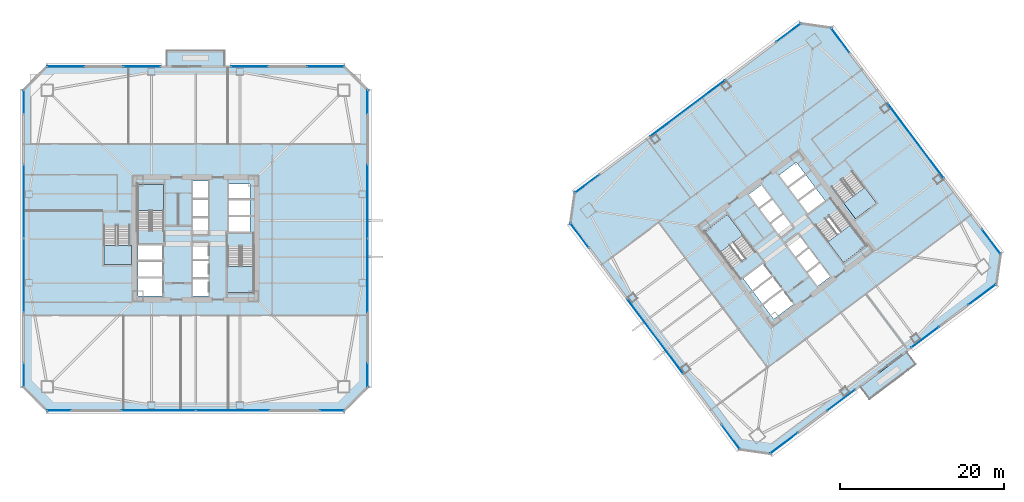
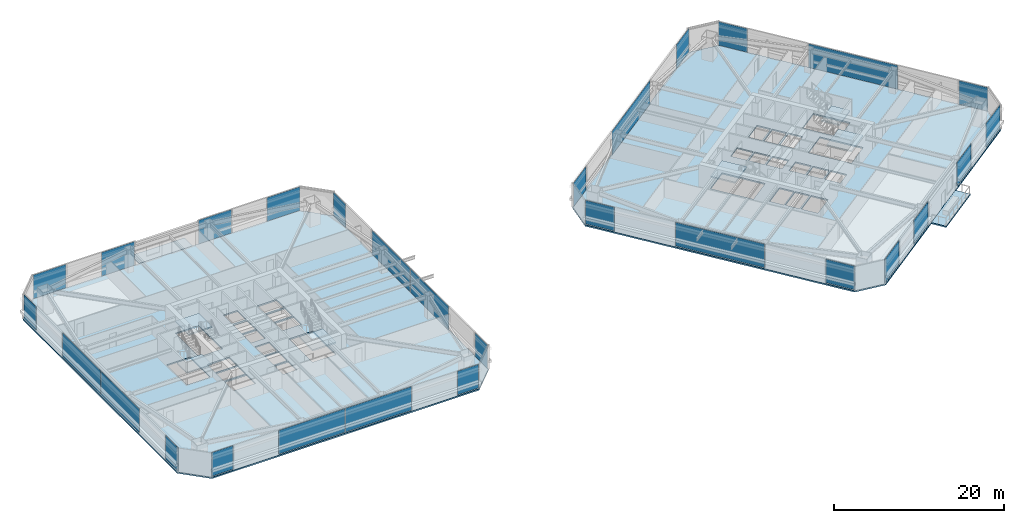
# One storey, part 35 of 47: 29 plates, 10 slabs, 32 elements without a shape of their own.
"""IFC4 building model written with IfcOpenShell, lengths in metres."""

from ifc_helpers import new_model, si_unit, direction, frame, origin, origin_2d, place, context, subcontext, project, spatial, polyline, rectangle, outline, extrude, material, layer, layer_set, type_object, element, aggregate, save


model = new_model("IFC4")

# Units and contexts
model_context = context("Model", 3, precision=1e-05, world=origin(), true_north=direction((0.0, 1.0)))
body_context = subcontext(model_context, "Body", "Model", "MODEL_VIEW")
ifc_project = project(units=[si_unit("LENGTHUNIT", "METRE"), si_unit("AREAUNIT", "SQUARE_METRE"), si_unit("VOLUMEUNIT", "CUBIC_METRE"), si_unit("PLANEANGLEUNIT", "RADIAN"), si_unit("MASSUNIT", "GRAM", prefix="KILO")], contexts=[model_context])

# Site, building, storey
site_placement = place(None, origin())
site = spatial("IfcSite", under=ifc_project, at=site_placement, CompositionType="ELEMENT")
building_placement = place(site_placement, origin())
building = spatial("IfcBuilding", under=site, at=building_placement, Name="Tashvorn Skyway Center", CompositionType="ELEMENT")
storey_placement = place(building_placement, frame((0.0, 0.0, 81.39990234375)))
storey = spatial("IfcBuildingStorey", under=building, at=storey_placement, Name="L21", CompositionType="ELEMENT", Elevation=81.39990234375)

# Curtain wall, plate
ifc_material_1 = material(Name="Thermally broken bronze-anodized aluminium 6063-T6", Category="aluminium")
curtain_wall_type = type_object("IfcCurtainWallType", Name="CW-CW-Z2", PredefinedType="NOTDEFINED", material=ifc_material_1)
curtain_wall_1_placement = place(storey_placement, origin())
curtain_wall_1 = element("IfcCurtainWall", 1, at=curtain_wall_1_placement, inside=storey, type_object=curtain_wall_type, Name="Tower 1 L21 South Unitised Curtain Wall Glazing Group 1", PredefinedType="NOTDEFINED")
ifc_material_2 = material(Name="Low-E solar-control double insulating safety glass", Category="glass")
ifc_layer_1 = layer(ifc_material_2, 0.0439453125)
ifc_layer_set_1 = layer_set([ifc_layer_1], Name="Low-E solar-control double insulating safety glass")
plate_type = type_object("IfcPlateType", Name="CWP-CW-Z2", PredefinedType="CURTAIN_PANEL", material=ifc_layer_set_1)
plate_1_placement = place(storey_placement, frame((58.6650390625, 11.02001953125, 0.080078125), z_axis=(0.0, 0.0, 1.0), x_axis=(-1.0, 0.0, 0.0)))
plate_1 = element("IfcPlate", 2, at=plate_1_placement, type_object=plate_type, Name="CW-Z2 panel 1.1", PredefinedType="CURTAIN_PANEL", context=body_context, shape_type="SweptSolid", body=[
    extrude(rectangle(XDim=2.8701171875, YDim=0.0439453125, at=origin_2d()), origin(), (0.0, 0.0, 1.0), 3.389892578125),
])
aggregate(curtain_wall_1, [plate_1])

# Curtain wall, plates
curtain_wall_2_placement = place(storey_placement, origin())
curtain_wall_2 = element("IfcCurtainWall", 3, at=curtain_wall_2_placement, inside=storey, type_object=curtain_wall_type, Name="Tower 1 L21 South Unitised Curtain Wall Glazing Group 2", PredefinedType="NOTDEFINED")
plate_2_placement = place(storey_placement, frame((46.52490234375, 11.02001953125, 0.080078125), z_axis=(0.0, 0.0, 1.0), x_axis=(-1.0, 0.0, 0.0)))
plate_2 = element("IfcPlate", 4, at=plate_2_placement, type_object=plate_type, Name="CW-Z2 panel 1.1", PredefinedType="CURTAIN_PANEL", context=body_context, shape_type="SweptSolid", body=[
    extrude(rectangle(XDim=8.969970703125, YDim=0.0439453125, at=origin_2d()), origin(), (0.0, 0.0, 1.0), 3.389892578125),
])
plate_3_placement = place(storey_placement, frame((37.47509765625, 11.02001953125, 0.080078125), z_axis=(0.0, 0.0, 1.0), x_axis=(-1.0, 0.0, 0.0)))
plate_3 = element("IfcPlate", 5, at=plate_3_placement, type_object=plate_type, Name="CW-Z2 panel 2.1", PredefinedType="CURTAIN_PANEL", context=body_context, shape_type="SweptSolid", body=[
    extrude(rectangle(XDim=8.969970703125, YDim=0.0439453125, at=origin_2d()), origin(), (0.0, 0.0, 1.0), 3.389892578125),
])
aggregate(curtain_wall_2, [plate_2, plate_3])

# Curtain wall, plate
curtain_wall_3_placement = place(storey_placement, origin())
curtain_wall_3 = element("IfcCurtainWall", 6, at=curtain_wall_3_placement, inside=storey, type_object=curtain_wall_type, Name="Tower 1 L21 South Unitised Curtain Wall Glazing Group 3", PredefinedType="NOTDEFINED")
plate_4_placement = place(storey_placement, frame((25.3349609375, 11.02001953125, 0.080078125), z_axis=(0.0, 0.0, 1.0), x_axis=(-1.0, 0.0, 0.0)))
plate_4 = element("IfcPlate", 7, at=plate_4_placement, type_object=plate_type, Name="CW-Z2 panel 1.1", PredefinedType="CURTAIN_PANEL", context=body_context, shape_type="SweptSolid", body=[
    extrude(rectangle(XDim=2.8701171875, YDim=0.0439453125, at=origin_2d()), origin(), (0.0, 0.0, 1.0), 3.389892578125),
])
aggregate(curtain_wall_3, [plate_4])

curtain_wall_4_placement = place(storey_placement, origin())
curtain_wall_4 = element("IfcCurtainWall", 8, at=curtain_wall_4_placement, inside=storey, type_object=curtain_wall_type, Name="Tower 1 L21 West Unitised Curtain Wall Glazing Group 1", PredefinedType="NOTDEFINED")
plate_5_placement = place(storey_placement, frame((21.02001953125, 15.3349609375, 0.080078125), z_axis=(0.0, 0.0, 1.0), x_axis=(0.0, 1.0, 0.0)))
plate_5 = element("IfcPlate", 9, at=plate_5_placement, type_object=plate_type, Name="CW-Z2 panel 1.1", PredefinedType="CURTAIN_PANEL", context=body_context, shape_type="SweptSolid", body=[
    extrude(rectangle(XDim=2.8701171875, YDim=0.0439453125, at=origin_2d()), origin(), (0.0, 0.0, 1.0), 3.389892578125),
])
aggregate(curtain_wall_4, [plate_5])

# Curtain wall, plates
curtain_wall_5_placement = place(storey_placement, origin())
curtain_wall_5 = element("IfcCurtainWall", 10, at=curtain_wall_5_placement, inside=storey, type_object=curtain_wall_type, Name="Tower 1 L21 West Unitised Curtain Wall Glazing Group 2", PredefinedType="NOTDEFINED")
plate_6_placement = place(storey_placement, frame((21.02001953125, 27.47509765625, 0.080078125), z_axis=(0.0, 0.0, 1.0), x_axis=(0.0, 1.0, 0.0)))
plate_6 = element("IfcPlate", 11, at=plate_6_placement, type_object=plate_type, Name="CW-Z2 panel 1.1", PredefinedType="CURTAIN_PANEL", context=body_context, shape_type="SweptSolid", body=[
    extrude(rectangle(XDim=8.969970703125, YDim=0.0439453125, at=origin_2d()), origin(), (0.0, 0.0, 1.0), 3.389892578125),
])
plate_7_placement = place(storey_placement, frame((21.02001953125, 36.52490234375, 0.080078125), z_axis=(0.0, 0.0, 1.0), x_axis=(0.0, 1.0, 0.0)))
plate_7 = element("IfcPlate", 12, at=plate_7_placement, type_object=plate_type, Name="CW-Z2 panel 2.1", PredefinedType="CURTAIN_PANEL", context=body_context, shape_type="SweptSolid", body=[
    extrude(rectangle(XDim=8.969970703125, YDim=0.0439453125, at=origin_2d()), origin(), (0.0, 0.0, 1.0), 3.389892578125),
])
aggregate(curtain_wall_5, [plate_6, plate_7])

# Curtain wall, plate
curtain_wall_6_placement = place(storey_placement, origin())
curtain_wall_6 = element("IfcCurtainWall", 13, at=curtain_wall_6_placement, inside=storey, type_object=curtain_wall_type, Name="Tower 1 L21 West Unitised Curtain Wall Glazing Group 3", PredefinedType="NOTDEFINED")
plate_8_placement = place(storey_placement, frame((21.02001953125, 48.6650390625, 0.080078125), z_axis=(0.0, 0.0, 1.0), x_axis=(0.0, 1.0, 0.0)))
plate_8 = element("IfcPlate", 14, at=plate_8_placement, type_object=plate_type, Name="CW-Z2 panel 1.1", PredefinedType="CURTAIN_PANEL", context=body_context, shape_type="SweptSolid", body=[
    extrude(rectangle(XDim=2.8701171875, YDim=0.0439453125, at=origin_2d()), origin(), (0.0, 0.0, 1.0), 3.389892578125),
])
aggregate(curtain_wall_6, [plate_8])

curtain_wall_7_placement = place(storey_placement, origin())
curtain_wall_7 = element("IfcCurtainWall", 15, at=curtain_wall_7_placement, inside=storey, type_object=curtain_wall_type, Name="Tower 1 L21 North Curtain Wall L Glazing Group 1", PredefinedType="NOTDEFINED")
plate_9_placement = place(storey_placement, frame((26.1416015625, 52.97998046875, 0.080078125), z_axis=(0.0, 0.0, 1.0), x_axis=(1.0, 0.0, 0.0)))
plate_9 = element("IfcPlate", 16, at=plate_9_placement, type_object=plate_type, Name="CW-Z2 panel 1.1", PredefinedType="CURTAIN_PANEL", context=body_context, shape_type="SweptSolid", body=[
    extrude(rectangle(XDim=4.4833984375, YDim=0.0439453125, at=origin_2d()), origin(), (0.0, 0.0, 1.0), 3.389892578125),
])
aggregate(curtain_wall_7, [plate_9])

curtain_wall_8_placement = place(storey_placement, origin())
curtain_wall_8 = element("IfcCurtainWall", 17, at=curtain_wall_8_placement, inside=storey, type_object=curtain_wall_type, Name="Tower 1 L21 North Curtain Wall L Glazing Group 2", PredefinedType="NOTDEFINED")
plate_10_placement = place(storey_placement, frame((35.428466796875, 52.97998046875, 0.080078125), z_axis=(0.0, 0.0, 1.0), x_axis=(1.0, 0.0, 0.0)))
plate_10 = element("IfcPlate", 18, at=plate_10_placement, type_object=plate_type, Name="CW-Z2 panel 1.1", PredefinedType="CURTAIN_PANEL", context=body_context, shape_type="SweptSolid", body=[
    extrude(rectangle(XDim=4.4833984375, YDim=0.0439453125, at=origin_2d()), origin(), (0.0, 0.0, 1.0), 3.389892578125),
])
aggregate(curtain_wall_8, [plate_10])

curtain_wall_9_placement = place(storey_placement, origin())
curtain_wall_9 = element("IfcCurtainWall", 19, at=curtain_wall_9_placement, inside=storey, type_object=curtain_wall_type, Name="Tower 1 L21 North Curtain Wall R Glazing Group 1", PredefinedType="NOTDEFINED")
plate_11_placement = place(storey_placement, frame((48.571533203125, 52.97998046875, 0.080078125), z_axis=(0.0, 0.0, 1.0), x_axis=(1.0, 0.0, 0.0)))
plate_11 = element("IfcPlate", 20, at=plate_11_placement, type_object=plate_type, Name="CW-Z2 panel 1.1", PredefinedType="CURTAIN_PANEL", context=body_context, shape_type="SweptSolid", body=[
    extrude(rectangle(XDim=4.4833984375, YDim=0.0439453125, at=origin_2d()), origin(), (0.0, 0.0, 1.0), 3.389892578125),
])
aggregate(curtain_wall_9, [plate_11])

curtain_wall_10_placement = place(storey_placement, origin())
curtain_wall_10 = element("IfcCurtainWall", 21, at=curtain_wall_10_placement, inside=storey, type_object=curtain_wall_type, Name="Tower 1 L21 North Curtain Wall R Glazing Group 2", PredefinedType="NOTDEFINED")
plate_12_placement = place(storey_placement, frame((57.8583984375, 52.97998046875, 0.080078125), z_axis=(0.0, 0.0, 1.0), x_axis=(1.0, 0.0, 0.0)))
plate_12 = element("IfcPlate", 22, at=plate_12_placement, type_object=plate_type, Name="CW-Z2 panel 1.1", PredefinedType="CURTAIN_PANEL", context=body_context, shape_type="SweptSolid", body=[
    extrude(rectangle(XDim=4.4833984375, YDim=0.0439453125, at=origin_2d()), origin(), (0.0, 0.0, 1.0), 3.389892578125),
])
aggregate(curtain_wall_10, [plate_12])

curtain_wall_11_placement = place(storey_placement, origin())
curtain_wall_11 = element("IfcCurtainWall", 23, at=curtain_wall_11_placement, inside=storey, type_object=curtain_wall_type, Name="Tower 1 L21 East Unitised Curtain Wall Glazing Group 1", PredefinedType="NOTDEFINED")
plate_13_placement = place(storey_placement, frame((62.97998046875, 48.6650390625, 0.080078125), z_axis=(0.0, 0.0, 1.0), x_axis=(0.0, -1.0, 0.0)))
plate_13 = element("IfcPlate", 24, at=plate_13_placement, type_object=plate_type, Name="CW-Z2 panel 1.1", PredefinedType="CURTAIN_PANEL", context=body_context, shape_type="SweptSolid", body=[
    extrude(rectangle(XDim=2.8701171875, YDim=0.0439453125, at=origin_2d()), origin(), (0.0, 0.0, 1.0), 3.389892578125),
])
aggregate(curtain_wall_11, [plate_13])

# Curtain wall, plates
curtain_wall_12_placement = place(storey_placement, origin())
curtain_wall_12 = element("IfcCurtainWall", 25, at=curtain_wall_12_placement, inside=storey, type_object=curtain_wall_type, Name="Tower 1 L21 East Unitised Curtain Wall Glazing Group 2", PredefinedType="NOTDEFINED")
plate_14_placement = place(storey_placement, frame((62.97998046875, 36.52490234375, 0.080078125), z_axis=(0.0, 0.0, 1.0), x_axis=(0.0, -1.0, 0.0)))
plate_14 = element("IfcPlate", 26, at=plate_14_placement, type_object=plate_type, Name="CW-Z2 panel 1.1", PredefinedType="CURTAIN_PANEL", context=body_context, shape_type="SweptSolid", body=[
    extrude(rectangle(XDim=8.969970703125, YDim=0.0439453125, at=origin_2d()), origin(), (0.0, 0.0, 1.0), 3.389892578125),
])
plate_15_placement = place(storey_placement, frame((62.97998046875, 27.47509765625, 0.080078125), z_axis=(0.0, 0.0, 1.0), x_axis=(0.0, -1.0, 0.0)))
plate_15 = element("IfcPlate", 27, at=plate_15_placement, type_object=plate_type, Name="CW-Z2 panel 2.1", PredefinedType="CURTAIN_PANEL", context=body_context, shape_type="SweptSolid", body=[
    extrude(rectangle(XDim=8.969970703125, YDim=0.0439453125, at=origin_2d()), origin(), (0.0, 0.0, 1.0), 3.389892578125),
])
aggregate(curtain_wall_12, [plate_14, plate_15])

# Curtain wall, plate
curtain_wall_13_placement = place(storey_placement, origin())
curtain_wall_13 = element("IfcCurtainWall", 28, at=curtain_wall_13_placement, inside=storey, type_object=curtain_wall_type, Name="Tower 1 L21 East Unitised Curtain Wall Glazing Group 3", PredefinedType="NOTDEFINED")
plate_16_placement = place(storey_placement, frame((62.97998046875, 15.3349609375, 0.080078125), z_axis=(0.0, 0.0, 1.0), x_axis=(0.0, -1.0, 0.0)))
plate_16 = element("IfcPlate", 29, at=plate_16_placement, type_object=plate_type, Name="CW-Z2 panel 1.1", PredefinedType="CURTAIN_PANEL", context=body_context, shape_type="SweptSolid", body=[
    extrude(rectangle(XDim=2.8701171875, YDim=0.0439453125, at=origin_2d()), origin(), (0.0, 0.0, 1.0), 3.389892578125),
])
aggregate(curtain_wall_13, [plate_16])

curtain_wall_14_placement = place(storey_placement, origin())
curtain_wall_14 = element("IfcCurtainWall", 30, at=curtain_wall_14_placement, inside=storey, type_object=curtain_wall_type, Name="Tower 2 L21 South Curtain Wall L Glazing Group 1", PredefinedType="NOTDEFINED")
plate_17_placement = place(storey_placement, frame((138.0146484375, 25.160888671875, 0.080078125), z_axis=(0.0, 0.0, 1.0), x_axis=(-0.800002762832, -0.599996316206, 0.0)))
plate_17 = element("IfcPlate", 31, at=plate_17_placement, type_object=plate_type, Name="CW-Z2 panel 1.1", PredefinedType="CURTAIN_PANEL", context=body_context, shape_type="SweptSolid", body=[
    extrude(rectangle(XDim=4.183349609375, YDim=0.0439453125, at=origin_2d()), origin(), (0.0, 0.0, 1.0), 3.389892578125),
])
aggregate(curtain_wall_14, [plate_17])

curtain_wall_15_placement = place(storey_placement, origin())
curtain_wall_15 = element("IfcCurtainWall", 32, at=curtain_wall_15_placement, inside=storey, type_object=curtain_wall_type, Name="Tower 2 L21 South Curtain Wall L Glazing Group 2", PredefinedType="NOTDEFINED")
plate_18_placement = place(storey_placement, frame((131.0654296875, 19.948974609375, 0.080078125), z_axis=(0.0, 0.0, 1.0), x_axis=(-0.800002762832, -0.599996316206, 0.0)))
plate_18 = element("IfcPlate", 33, at=plate_18_placement, type_object=plate_type, Name="CW-Z2 panel 1.1", PredefinedType="CURTAIN_PANEL", context=body_context, shape_type="SweptSolid", body=[
    extrude(rectangle(XDim=4.183349609375, YDim=0.0439453125, at=origin_2d()), origin(), (0.0, 0.0, 1.0), 3.389892578125),
])
aggregate(curtain_wall_15, [plate_18])

curtain_wall_16_placement = place(storey_placement, origin())
curtain_wall_16 = element("IfcCurtainWall", 34, at=curtain_wall_16_placement, inside=storey, type_object=curtain_wall_type, Name="Tower 2 L21 South Curtain Wall R Glazing Group 1", PredefinedType="NOTDEFINED")
plate_19_placement = place(storey_placement, frame((120.790771484375, 12.242919921875, 0.080078125), z_axis=(0.0, 0.0, 1.0), x_axis=(-0.800002762832, -0.599996316206, 0.0)))
plate_19 = element("IfcPlate", 35, at=plate_19_placement, type_object=plate_type, Name="CW-Z2 panel 1.1", PredefinedType="CURTAIN_PANEL", context=body_context, shape_type="SweptSolid", body=[
    extrude(rectangle(XDim=4.183349609375, YDim=0.0439453125, at=origin_2d()), origin(), (0.0, 0.0, 1.0), 3.389892578125),
])
aggregate(curtain_wall_16, [plate_19])

curtain_wall_17_placement = place(storey_placement, origin())
curtain_wall_17 = element("IfcCurtainWall", 36, at=curtain_wall_17_placement, inside=storey, type_object=curtain_wall_type, Name="Tower 2 L21 South Curtain Wall R Glazing Group 2", PredefinedType="NOTDEFINED")
plate_20_placement = place(storey_placement, frame((113.84130859375, 7.031005859375, 0.080078125), z_axis=(0.0, 0.0, 1.0), x_axis=(-0.800002762832, -0.599996316206, 0.0)))
plate_20 = element("IfcPlate", 37, at=plate_20_placement, type_object=plate_type, Name="CW-Z2 panel 1.1", PredefinedType="CURTAIN_PANEL", context=body_context, shape_type="SweptSolid", body=[
    extrude(rectangle(XDim=4.183349609375, YDim=0.0439453125, at=origin_2d()), origin(), (0.0, 0.0, 1.0), 3.389892578125),
])
aggregate(curtain_wall_17, [plate_20])

curtain_wall_18_placement = place(storey_placement, origin())
curtain_wall_18 = element("IfcCurtainWall", 38, at=curtain_wall_18_placement, inside=storey, type_object=curtain_wall_type, Name="Tower 2 L21 West Unitised Curtain Wall Glazing Group 1", PredefinedType="NOTDEFINED")
plate_21_placement = place(storey_placement, frame((107.31201171875, 7.783935546875, 0.080078125), z_axis=(0.0, 0.0, 1.0), x_axis=(-0.600000000002, 0.799999999998, 0.0)))
plate_21 = element("IfcPlate", 39, at=plate_21_placement, type_object=plate_type, Name="CW-Z2 panel 1.1", PredefinedType="CURTAIN_PANEL", context=body_context, shape_type="SweptSolid", body=[
    extrude(rectangle(XDim=3.679931640625, YDim=0.0439453125, at=origin_2d()), origin(), (0.0, 0.0, 1.0), 3.389892578125),
])
aggregate(curtain_wall_18, [plate_21])

curtain_wall_19_placement = place(storey_placement, origin())
curtain_wall_19 = element("IfcCurtainWall", 40, at=curtain_wall_19_placement, inside=storey, type_object=curtain_wall_type, Name="Tower 2 L21 West Unitised Curtain Wall Glazing Group 2", PredefinedType="NOTDEFINED")
plate_22_placement = place(storey_placement, frame((98.095947265625, 20.072021484375, 0.080078125), z_axis=(0.0, 0.0, 1.0), x_axis=(-0.600000000002, 0.799999999998, 0.0)))
plate_22 = element("IfcPlate", 41, at=plate_22_placement, type_object=plate_type, Name="CW-Z2 panel 1.1", PredefinedType="CURTAIN_PANEL", context=body_context, shape_type="SweptSolid", body=[
    extrude(rectangle(XDim=11.360107421875, YDim=0.0439453125, at=origin_2d()), origin(), (0.0, 0.0, 1.0), 3.389892578125),
])
aggregate(curtain_wall_19, [plate_22])

curtain_wall_20_placement = place(storey_placement, origin())
curtain_wall_20 = element("IfcCurtainWall", 42, at=curtain_wall_20_placement, inside=storey, type_object=curtain_wall_type, Name="Tower 2 L21 West Unitised Curtain Wall Glazing Group 3", PredefinedType="NOTDEFINED")
plate_23_placement = place(storey_placement, frame((88.8798828125, 32.360107421875, 0.080078125), z_axis=(0.0, 0.0, 1.0), x_axis=(-0.600000000002, 0.799999999998, 0.0)))
plate_23 = element("IfcPlate", 43, at=plate_23_placement, type_object=plate_type, Name="CW-Z2 panel 1.1", PredefinedType="CURTAIN_PANEL", context=body_context, shape_type="SweptSolid", body=[
    extrude(rectangle(XDim=3.679931640625, YDim=0.0439453125, at=origin_2d()), origin(), (0.0, 0.0, 1.0), 3.389892578125),
])
aggregate(curtain_wall_20, [plate_23])

curtain_wall_21_placement = place(storey_placement, origin())
curtain_wall_21 = element("IfcCurtainWall", 44, at=curtain_wall_21_placement, inside=storey, type_object=curtain_wall_type, Name="Tower 2 L21 North Unitised Curtain Wall Glazing Group 1", PredefinedType="NOTDEFINED")
plate_24_placement = place(storey_placement, frame((89.783935546875, 38.68798828125, 0.080078125), z_axis=(0.0, 0.0, 1.0), x_axis=(0.799999999998, 0.600000000002, 0.0)))
plate_24 = element("IfcPlate", 45, at=plate_24_placement, type_object=plate_type, Name="CW-Z2 panel 1.1", PredefinedType="CURTAIN_PANEL", context=body_context, shape_type="SweptSolid", body=[
    extrude(rectangle(XDim=3.679931640625, YDim=0.0439453125, at=origin_2d()), origin(), (0.0, 0.0, 1.0), 3.389892578125),
])
aggregate(curtain_wall_21, [plate_24])

curtain_wall_22_placement = place(storey_placement, origin())
curtain_wall_22 = element("IfcCurtainWall", 46, at=curtain_wall_22_placement, inside=storey, type_object=curtain_wall_type, Name="Tower 2 L21 North Unitised Curtain Wall Glazing Group 2", PredefinedType="NOTDEFINED")
plate_25_placement = place(storey_placement, frame((102.072021484375, 47.904052734375, 0.080078125), z_axis=(0.0, 0.0, 1.0), x_axis=(0.799999999998, 0.600000000002, 0.0)))
plate_25 = element("IfcPlate", 47, at=plate_25_placement, type_object=plate_type, Name="CW-Z2 panel 1.1", PredefinedType="CURTAIN_PANEL", context=body_context, shape_type="SweptSolid", body=[
    extrude(rectangle(XDim=11.360107421875, YDim=0.0439453125, at=origin_2d()), origin(), (0.0, 0.0, 1.0), 3.389892578125),
])
aggregate(curtain_wall_22, [plate_25])

curtain_wall_23_placement = place(storey_placement, origin())
curtain_wall_23 = element("IfcCurtainWall", 48, at=curtain_wall_23_placement, inside=storey, type_object=curtain_wall_type, Name="Tower 2 L21 North Unitised Curtain Wall Glazing Group 3", PredefinedType="NOTDEFINED")
plate_26_placement = place(storey_placement, frame((114.360107421875, 57.1201171875, 0.080078125), z_axis=(0.0, 0.0, 1.0), x_axis=(0.799999999998, 0.600000000002, 0.0)))
plate_26 = element("IfcPlate", 49, at=plate_26_placement, type_object=plate_type, Name="CW-Z2 panel 1.1", PredefinedType="CURTAIN_PANEL", context=body_context, shape_type="SweptSolid", body=[
    extrude(rectangle(XDim=3.679931640625, YDim=0.0439453125, at=origin_2d()), origin(), (0.0, 0.0, 1.0), 3.389892578125),
])
aggregate(curtain_wall_23, [plate_26])

curtain_wall_24_placement = place(storey_placement, origin())
curtain_wall_24 = element("IfcCurtainWall", 50, at=curtain_wall_24_placement, inside=storey, type_object=curtain_wall_type, Name="Tower 2 L21 East Unitised Curtain Wall Glazing Group 1", PredefinedType="NOTDEFINED")
plate_27_placement = place(storey_placement, frame((120.68798828125, 56.216064453125, 0.080078125), z_axis=(0.0, 0.0, 1.0), x_axis=(0.600000000002, -0.799999999998, 0.0)))
plate_27 = element("IfcPlate", 51, at=plate_27_placement, type_object=plate_type, Name="CW-Z2 panel 1.1", PredefinedType="CURTAIN_PANEL", context=body_context, shape_type="SweptSolid", body=[
    extrude(rectangle(XDim=3.679931640625, YDim=0.0439453125, at=origin_2d()), origin(), (0.0, 0.0, 1.0), 3.389892578125),
])
aggregate(curtain_wall_24, [plate_27])

curtain_wall_25_placement = place(storey_placement, origin())
curtain_wall_25 = element("IfcCurtainWall", 52, at=curtain_wall_25_placement, inside=storey, type_object=curtain_wall_type, Name="Tower 2 L21 East Unitised Curtain Wall Glazing Group 2", PredefinedType="NOTDEFINED")
plate_28_placement = place(storey_placement, frame((129.904052734375, 43.927978515625, 0.080078125), z_axis=(0.0, 0.0, 1.0), x_axis=(0.600000000002, -0.799999999998, 0.0)))
plate_28 = element("IfcPlate", 53, at=plate_28_placement, type_object=plate_type, Name="CW-Z2 panel 1.1", PredefinedType="CURTAIN_PANEL", context=body_context, shape_type="SweptSolid", body=[
    extrude(rectangle(XDim=11.360107421875, YDim=0.0439453125, at=origin_2d()), origin(), (0.0, 0.0, 1.0), 3.389892578125),
])
aggregate(curtain_wall_25, [plate_28])

curtain_wall_26_placement = place(storey_placement, origin())
curtain_wall_26 = element("IfcCurtainWall", 54, at=curtain_wall_26_placement, inside=storey, type_object=curtain_wall_type, Name="Tower 2 L21 East Unitised Curtain Wall Glazing Group 3", PredefinedType="NOTDEFINED")
plate_29_placement = place(storey_placement, frame((139.1201171875, 31.639892578125, 0.080078125), z_axis=(0.0, 0.0, 1.0), x_axis=(0.600000000002, -0.799999999998, 0.0)))
plate_29 = element("IfcPlate", 55, at=plate_29_placement, type_object=plate_type, Name="CW-Z2 panel 1.1", PredefinedType="CURTAIN_PANEL", context=body_context, shape_type="SweptSolid", body=[
    extrude(rectangle(XDim=3.679931640625, YDim=0.0439453125, at=origin_2d()), origin(), (0.0, 0.0, 1.0), 3.389892578125),
])
aggregate(curtain_wall_26, [plate_29])

# Slabs
ifc_material_3 = material(Name="Concrete C40/50", Category="concrete")
ifc_layer_2 = layer(ifc_material_3, 0.199951171875)
ifc_layer_set_2 = layer_set([ifc_layer_2], Name="Concrete C40/50")
slab_type_1 = type_object("IfcSlabType", Name="SLAB-FLR-200", PredefinedType="FLOOR", material=ifc_layer_set_2)
slab_1_placement = place(storey_placement, frame((0.0, 0.0, -0.199951171875)))
element("IfcSlab", 56, at=slab_1_placement, inside=storey, type_object=slab_type_1, Name="Tower 1 L21 Composite Floor Slab", PredefinedType="FLOOR", context=body_context, shape_type="SweptSolid", body=[
    extrude(outline(polyline([(23.89990234375, 10.89990234375), (60.10009765625, 10.89990234375), (63.10009765625, 13.89990234375), (63.10009765625, 50.10009765625), (60.10009765625, 53.10009765625), (23.89990234375, 53.10009765625), (20.89990234375, 50.10009765625), (20.89990234375, 13.89990234375), (23.89990234375, 10.89990234375)]), holes=[polyline([(38.10009765625, 33.080078125), (38.10009765625, 38.60009765625), (34.89990234375, 38.60009765625), (34.89990234375, 33.080078125), (38.10009765625, 33.080078125)]), polyline([(45.89990234375, 30.919921875), (45.89990234375, 25.39990234375), (49.10009765625, 25.39990234375), (49.10009765625, 30.919921875), (45.89990234375, 30.919921875)]), polyline([(30.800048828125, 33.52001953125), (30.800048828125, 28.800048828125), (34.0, 28.800048828125), (34.0, 33.52001953125), (30.800048828125, 33.52001953125)]), polyline([(34.949951171875, 29.35009765625), (37.949951171875, 29.35009765625), (37.949951171875, 31.199951171875), (34.949951171875, 31.199951171875), (34.949951171875, 29.35009765625)]), polyline([(34.949951171875, 27.35009765625), (37.949951171875, 27.35009765625), (37.949951171875, 29.199951171875), (34.949951171875, 29.199951171875), (34.949951171875, 27.35009765625)]), polyline([(34.949951171875, 25.0), (37.949951171875, 25.0), (37.949951171875, 27.14990234375), (34.949951171875, 27.14990234375), (34.949951171875, 25.0)]), polyline([(41.64990234375, 25.0), (43.550048828125, 25.0), (43.550048828125, 27.050048828125), (41.64990234375, 27.050048828125), (41.64990234375, 25.0)]), polyline([(41.64990234375, 27.25), (43.550048828125, 27.25), (43.550048828125, 29.300048828125), (41.64990234375, 29.300048828125), (41.64990234375, 27.25)]), polyline([(41.64990234375, 29.5), (43.550048828125, 29.5), (43.550048828125, 31.550048828125), (41.64990234375, 31.550048828125), (41.64990234375, 29.5)]), polyline([(41.64990234375, 32.449951171875), (43.550048828125, 32.449951171875), (43.550048828125, 34.5), (41.64990234375, 34.5), (41.64990234375, 32.449951171875)]), polyline([(41.64990234375, 34.699951171875), (43.550048828125, 34.699951171875), (43.550048828125, 36.75), (41.64990234375, 36.75), (41.64990234375, 34.699951171875)]), polyline([(41.64990234375, 36.949951171875), (43.550048828125, 36.949951171875), (43.550048828125, 39.0), (41.64990234375, 39.0), (41.64990234375, 36.949951171875)]), polyline([(46.050048828125, 32.800048828125), (48.64990234375, 32.800048828125), (48.64990234375, 34.64990234375), (46.050048828125, 34.64990234375), (46.050048828125, 32.800048828125)]), polyline([(46.050048828125, 34.85009765625), (48.64990234375, 34.85009765625), (48.64990234375, 36.699951171875), (46.050048828125, 36.699951171875), (46.050048828125, 34.85009765625)]), polyline([(46.050048828125, 36.89990234375), (48.64990234375, 36.89990234375), (48.64990234375, 38.64990234375), (46.050048828125, 38.64990234375), (46.050048828125, 36.89990234375)])]), origin(), (0.0, 0.0, 1.0), 0.199951171875),
])
slab_2_placement = place(storey_placement, frame((0.0, 0.0, -0.199951171875)))
element("IfcSlab", 57, at=slab_2_placement, inside=storey, type_object=slab_type_1, Name="Tower 2 L21 Composite Floor Slab", PredefinedType="FLOOR", context=body_context, shape_type="SweptSolid", body=[
    extrude(outline(polyline([(112.239990234375, 5.679931640625), (139.760009765625, 26.320068359375), (140.320068359375, 30.239990234375), (119.679931640625, 57.760009765625), (115.760009765625, 58.320068359375), (88.239990234375, 37.679931640625), (87.679931640625, 33.760009765625), (108.320068359375, 6.239990234375), (112.239990234375, 5.679931640625)]), holes=[polyline([(110.23193359375, 30.52392578125), (106.919921875, 34.93994140625), (104.135986328125, 32.85205078125), (107.447998046875, 28.43603515625), (110.23193359375, 30.52392578125)]), polyline([(117.76806640625, 33.47607421875), (121.080078125, 29.06005859375), (123.864013671875, 31.14794921875), (120.552001953125, 35.56396484375), (117.76806640625, 33.47607421875)]), polyline([(119.7119140625, 38.18408203125), (122.5439453125, 34.407958984375), (125.10400390625, 36.327880859375), (122.27197265625, 40.10400390625), (119.7119140625, 38.18408203125)]), polyline([(109.949951171875, 25.64990234375), (112.35009765625, 27.449951171875), (111.239990234375, 28.929931640625), (108.840087890625, 27.1298828125), (109.949951171875, 25.64990234375)]), polyline([(111.14990234375, 24.050048828125), (113.550048828125, 25.85009765625), (112.43994140625, 27.330078125), (110.0400390625, 25.530029296875), (111.14990234375, 24.050048828125)]), polyline([(112.56005859375, 22.169921875), (114.9599609375, 23.969970703125), (113.669921875, 25.68994140625), (111.27001953125, 23.889892578125), (112.56005859375, 22.169921875)]), polyline([(117.919921875, 26.18994140625), (119.43994140625, 27.330078125), (118.2099609375, 28.969970703125), (116.68994140625, 27.830078125), (117.919921875, 26.18994140625)]), polyline([(116.570068359375, 27.989990234375), (118.090087890625, 29.1298828125), (116.860107421875, 30.77001953125), (115.340087890625, 29.6298828125), (116.570068359375, 27.989990234375)]), polyline([(115.219970703125, 29.7900390625), (116.739990234375, 30.929931640625), (115.510009765625, 32.570068359375), (113.989990234375, 31.429931640625), (115.219970703125, 29.7900390625)]), polyline([(113.449951171875, 32.14990234375), (114.969970703125, 33.2900390625), (113.739990234375, 34.929931640625), (112.219970703125, 33.7900390625), (113.449951171875, 32.14990234375)]), polyline([(112.10009765625, 33.949951171875), (113.6201171875, 35.090087890625), (112.389892578125, 36.72998046875), (110.8701171875, 35.590087890625), (112.10009765625, 33.949951171875)]), polyline([(110.75, 35.75), (112.27001953125, 36.889892578125), (111.0400390625, 38.530029296875), (109.52001953125, 37.389892578125), (110.75, 35.75)]), polyline([(116.760009765625, 35.070068359375), (118.840087890625, 36.6298828125), (117.72998046875, 38.110107421875), (115.64990234375, 36.550048828125), (116.760009765625, 35.070068359375)]), polyline([(115.530029296875, 36.7099609375), (117.610107421875, 38.27001953125), (116.5, 39.75), (114.419921875, 38.18994140625), (115.530029296875, 36.7099609375)]), polyline([(114.300048828125, 38.35009765625), (116.3798828125, 39.909912109375), (115.330078125, 41.31005859375), (113.25, 39.75), (114.300048828125, 38.35009765625)])]), origin(), (0.0, 0.0, 1.0), 0.199951171875),
])

# Stair, slab
stair_type = type_object("IfcStairType", Name="STAIR-CORE-1500", PredefinedType="HALF_TURN_STAIR", material=ifc_material_3)
stair_1_placement = place(storey_placement, origin())
stair_1 = element("IfcStair", 58, at=stair_1_placement, inside=storey, type_object=stair_type, Name="L21 Tower 1 Exit Stair 1", PredefinedType="HALF_TURN_STAIR")
ifc_layer_3 = layer(ifc_material_3, 0.199951171875)
ifc_layer_set_3 = layer_set([ifc_layer_3], Name="Concrete C40/50")
slab_type_2 = type_object("IfcSlabType", Name="SLAB-LAND-200", PredefinedType="LANDING", material=ifc_layer_set_3)
slab_3_placement = place(storey_placement, frame((0.0, 0.0, 1.5751953125)))
slab_3 = element("IfcSlab", 59, at=slab_3_placement, type_object=slab_type_2, Name="ST-T1-1 landing 1", PredefinedType="LANDING", context=body_context, shape_type="SweptSolid", body=[
    extrude(outline(polyline([(38.10009765625, 35.43994140625), (38.10009765625, 38.60009765625), (34.89990234375, 38.60009765625), (34.89990234375, 35.43994140625), (38.10009765625, 35.43994140625)])), origin(), (0.0, 0.0, 1.0), 0.199951171875),
])
aggregate(stair_1, [slab_3])

stair_2_placement = place(storey_placement, origin())
stair_2 = element("IfcStair", 60, at=stair_2_placement, inside=storey, type_object=stair_type, Name="L21 Tower 1 Exit Stair 2", PredefinedType="HALF_TURN_STAIR")
slab_4_placement = place(storey_placement, frame((0.0, 0.0, 1.5751953125)))
slab_4 = element("IfcSlab", 61, at=slab_4_placement, type_object=slab_type_2, Name="ST-T1-2 landing 1", PredefinedType="LANDING", context=body_context, shape_type="SweptSolid", body=[
    extrude(outline(polyline([(45.89990234375, 28.56005859375), (45.89990234375, 25.39990234375), (49.10009765625, 25.39990234375), (49.10009765625, 28.56005859375), (45.89990234375, 28.56005859375)])), origin(), (0.0, 0.0, 1.0), 0.199951171875),
])
aggregate(stair_2, [slab_4])

stair_3_placement = place(storey_placement, origin())
stair_3 = element("IfcStair", 62, at=stair_3_placement, inside=storey, type_object=stair_type, Name="L21 Tower 2 Exit Stair 1", PredefinedType="HALF_TURN_STAIR")
slab_5_placement = place(storey_placement, frame((0.0, 0.0, 1.5751953125)))
slab_5 = element("IfcSlab", 63, at=slab_5_placement, type_object=slab_type_2, Name="ST-T2-1 landing 1", PredefinedType="LANDING", context=body_context, shape_type="SweptSolid", body=[
    extrude(outline(polyline([(108.82080078125, 32.405517578125), (106.919921875, 34.93994140625), (104.135986328125, 32.85205078125), (106.036865234375, 30.317626953125), (108.82080078125, 32.405517578125)])), origin(), (0.0, 0.0, 1.0), 0.199951171875),
])
aggregate(stair_3, [slab_5])

stair_4_placement = place(storey_placement, origin())
stair_4 = element("IfcStair", 64, at=stair_4_placement, inside=storey, type_object=stair_type, Name="L21 Tower 2 Exit Stair 2", PredefinedType="HALF_TURN_STAIR")
slab_6_placement = place(storey_placement, frame((0.0, 0.0, 1.5751953125)))
slab_6 = element("IfcSlab", 65, at=slab_6_placement, type_object=slab_type_2, Name="ST-T2-2 landing 1", PredefinedType="LANDING", context=body_context, shape_type="SweptSolid", body=[
    extrude(outline(polyline([(119.17919921875, 31.594482421875), (121.080078125, 29.06005859375), (123.864013671875, 31.14794921875), (121.963134765625, 33.682373046875), (119.17919921875, 31.594482421875)])), origin(), (0.0, 0.0, 1.0), 0.199951171875),
])
aggregate(stair_4, [slab_6])

stair_5_placement = place(storey_placement, origin())
stair_5 = element("IfcStair", 66, at=stair_5_placement, inside=storey, type_object=stair_type, Name="L21 Tower 1 Exit Stair 3", PredefinedType="HALF_TURN_STAIR")
slab_7_placement = place(storey_placement, frame((0.0, 0.0, 1.5751953125)))
slab_7 = element("IfcSlab", 67, at=slab_7_placement, type_object=slab_type_2, Name="ST-T1-3 landing 1", PredefinedType="LANDING", context=body_context, shape_type="SweptSolid", body=[
    extrude(outline(polyline([(30.800048828125, 31.159912109375), (30.800048828125, 28.800048828125), (34.199951171875, 28.800048828125), (34.199951171875, 31.159912109375), (30.800048828125, 31.159912109375)])), origin(), (0.0, 0.0, 1.0), 0.199951171875),
])
aggregate(stair_5, [slab_7])

stair_6_placement = place(storey_placement, origin())
stair_6 = element("IfcStair", 68, at=stair_6_placement, inside=storey, type_object=stair_type, Name="L21 Tower 2 Exit Stair 3", PredefinedType="HALF_TURN_STAIR")
slab_8_placement = place(storey_placement, frame((0.0, 0.0, 1.5751953125)))
slab_8 = element("IfcSlab", 69, at=slab_8_placement, type_object=slab_type_2, Name="ST-T2-3 landing 1", PredefinedType="LANDING", context=body_context, shape_type="SweptSolid", body=[
    extrude(outline(polyline([(121.123291015625, 36.302490234375), (122.5439453125, 34.407958984375), (125.10400390625, 36.327880859375), (123.68310546875, 38.222412109375), (121.123291015625, 36.302490234375)])), origin(), (0.0, 0.0, 1.0), 0.199951171875),
])
aggregate(stair_6, [slab_8])

# Slabs
ifc_layer_4 = layer(ifc_material_3, 0.179931640625)
ifc_layer_set_4 = layer_set([ifc_layer_4], Name="Concrete C40/50")
slab_type_3 = type_object("IfcSlabType", Name="SLAB-TERR-200", PredefinedType="FLOOR", material=ifc_layer_set_4)
slab_9_placement = place(storey_placement, frame((0.0, 0.0, -0.199951171875)))
element("IfcSlab", 70, at=slab_9_placement, inside=storey, type_object=slab_type_3, Name="Tower 1 L21 Spiral Planted Terrace Slab", PredefinedType="FLOOR", context=body_context, shape_type="SweptSolid", body=[
    extrude(outline(polyline([(38.39990234375, 53.090087890625), (45.60009765625, 53.090087890625), (45.60009765625, 55.0), (38.39990234375, 55.0), (38.39990234375, 53.090087890625)])), origin(), (0.0, 0.0, 1.0), 0.199951171875),
])
slab_10_placement = place(storey_placement, frame((0.0, 0.0, -0.199951171875)))
element("IfcSlab", 71, at=slab_10_placement, inside=storey, type_object=slab_type_3, Name="Tower 2 L21 Spiral Planted Terrace Slab", PredefinedType="FLOOR", context=body_context, shape_type="SweptSolid", body=[
    extrude(outline(polyline([(124.260009765625, 12.320068359375), (130.02001953125, 16.639892578125), (128.8740234375, 18.16796875), (123.114013671875, 13.847900390625), (124.260009765625, 12.320068359375)])), origin(), (0.0, 0.0, 1.0), 0.199951171875),
])

save(model, "model.ifc")
